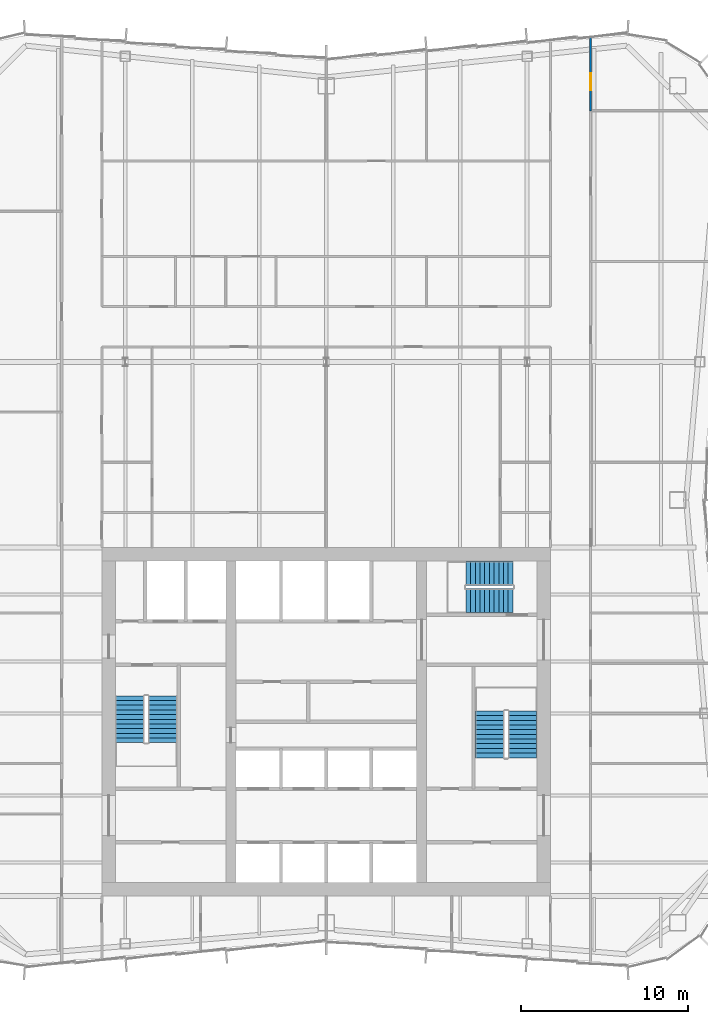
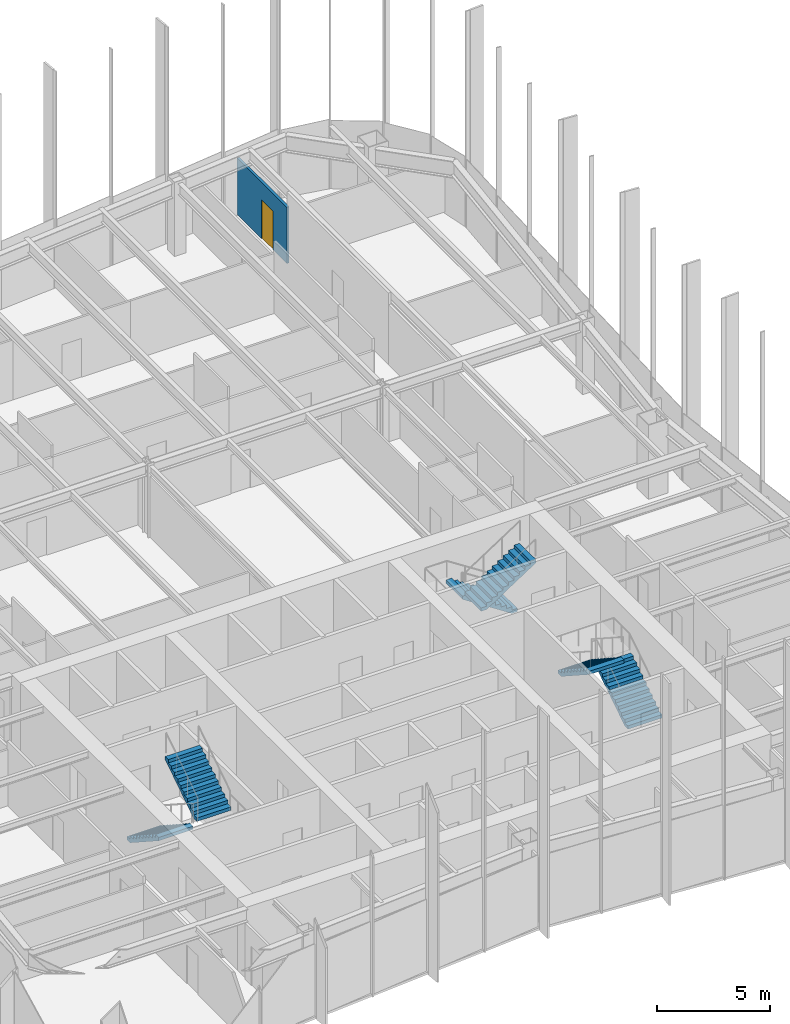
# One storey, part 14 of 15: 6 stair flights, 1 door, 1 wall, 1 opening, 3 elements without a shape of their own.
"""IFC4 building model written with IfcOpenShell, lengths in metres."""

import ifcopenshell
import ifcopenshell.guid

model = None  # the IFC model being written
_history = None  # IfcOwnerHistory: only IFC2X3 demands one
_inside = {}  # id of a spatial element -> (the spatial element, [elements in it])
_under = {}  # id of a project, library or spatial element -> (it, [spatial elements below it])
_declared = {}  # id of a project -> (the project, [libraries it declares])
_typed = {}  # id of a type object -> (the type object, [elements of that type])
_made_of = {}  # id of a material, layer set ... -> (it, [elements and type objects made of it])


def new_model(schema):
    """Start an empty IFC model of exactly this schema.

    Asked for "IFC4X3", IfcOpenShell would pick the latest addendum, in which some entities
    have other attributes; the version numbers below select the first issue.
    IFC2X3 requires an IfcOwnerHistory on every rooted entity: one is made here for all.
    """
    global model, _history
    if schema == "IFC4X3":
        model = ifcopenshell.file(schema_version=(4, 3, 0, 0))
    else:
        model = ifcopenshell.file(schema=schema)
    _inside.clear()
    _under.clear()
    _declared.clear()
    _typed.clear()
    _made_of.clear()
    _history = None
    if model.schema == "IFC2X3":
        org = make("IfcOrganization", Name="unknown")
        user = make(
            "IfcPersonAndOrganization",
            ThePerson=make("IfcPerson", FamilyName="unknown"),
            TheOrganization=org,
        )
        app = make(
            "IfcApplication",
            ApplicationDeveloper=org,
            Version="unknown",
            ApplicationFullName="unknown",
            ApplicationIdentifier="unknown",
        )
        _history = make(
            "IfcOwnerHistory",
            OwningUser=user,
            OwningApplication=app,
            ChangeAction="ADDED",
            CreationDate=0,
        )
    return model


def make(cls, **values):
    """One entity of the class cls with the attributes given. An attribute that is None is left unset."""
    return model.create_entity(
        cls, **{name: value for name, value in values.items() if value is not None}
    )


def rooted(cls, **values):
    """An entity with a GlobalId (a new one), such as an element, a storey or a relation."""
    return make(cls, GlobalId=ifcopenshell.guid.new(), OwnerHistory=_history, **values)


def si_unit(unit_type, name, prefix=None):
    """IfcSIUnit, for example si_unit("LENGTHUNIT", "METRE", prefix="MILLI")."""
    return make("IfcSIUnit", UnitType=unit_type, Prefix=prefix, Name=name)


def assignment(units):
    """IfcUnitAssignment: the units of a project."""
    return None if units is None else make("IfcUnitAssignment", Units=units)


def point(xyz):
    """IfcCartesianPoint."""
    return None if xyz is None else make("IfcCartesianPoint", Coordinates=xyz)


def direction(xyz):
    """IfcDirection."""
    return None if xyz is None else make("IfcDirection", DirectionRatios=xyz)


def frame(location, z_axis=None, x_axis=None):
    """IfcAxis2Placement3D, a coordinate frame: its origin and axes. An axis left out is left unset."""
    return make(
        "IfcAxis2Placement3D",
        Location=point(location),
        Axis=direction(z_axis),
        RefDirection=direction(x_axis),
    )


def frame_2d(location, x_axis=None):
    """IfcAxis2Placement2D, a coordinate frame in the plane: its origin and x axis."""
    return make(
        "IfcAxis2Placement2D", Location=point(location), RefDirection=direction(x_axis)
    )


def origin():
    """The frame at (0, 0, 0) with its axes left unset."""
    return frame((0.0, 0.0, 0.0))


def place(relative_to, where):
    """IfcLocalPlacement: puts the frame where relative to a parent placement (None: the world)."""
    return make(
        "IfcLocalPlacement", PlacementRelTo=relative_to, RelativePlacement=where
    )


def context(
    kind, dimensions, precision=None, world=None, true_north=None, identifier=None
):
    """IfcGeometricRepresentationContext, for example the 3D "Model" context."""
    return make(
        "IfcGeometricRepresentationContext",
        ContextIdentifier=identifier,
        ContextType=kind,
        CoordinateSpaceDimension=dimensions,
        Precision=precision,
        WorldCoordinateSystem=world,
        TrueNorth=true_north,
    )


def subcontext(parent, identifier, kind, view, scale=None):
    """IfcGeometricRepresentationSubContext, for example "Body" below "Model"."""
    return make(
        "IfcGeometricRepresentationSubContext",
        ContextIdentifier=identifier,
        ContextType=kind,
        ParentContext=parent,
        TargetScale=scale,
        TargetView=view,
    )


def project(units=None, contexts=None):
    """IfcProject with its units and contexts."""
    return rooted(
        "IfcProject",
        Name="project",
        RepresentationContexts=contexts,
        UnitsInContext=assignment(units),
    )


def spatial(cls, under=None, at=None, **own):
    """A site, building, storey or space (cls), placed at a placement, below another one or the project."""
    s = rooted(cls, ObjectPlacement=at, **own)
    if under is not None:
        _under.setdefault(under.id(), (under, []))[1].append(s)
    return s


def polyline(points):
    """IfcPolyline through the points."""
    return make("IfcPolyline", Points=[point(p) for p in points])


def profile(cls, at=None, kind="AREA", **sizes):
    """A parametric profile (cls). Its sizes go by their IFC names, for example OverallWidth=200.0."""
    return make(cls, ProfileType=kind, Position=at, **sizes)


def rectangle(**sizes):
    """IfcRectangleProfileDef."""
    return profile("IfcRectangleProfileDef", **sizes)


def outline(outer, holes=None, kind="AREA"):
    """IfcArbitraryClosedProfileDef: a profile drawn as a closed curve; with holes, ...WithVoids."""
    if holes is None:
        return make("IfcArbitraryClosedProfileDef", ProfileType=kind, OuterCurve=outer)
    return make(
        "IfcArbitraryProfileDefWithVoids",
        ProfileType=kind,
        OuterCurve=outer,
        InnerCurves=holes,
    )


def extrude(swept, where, along, depth):
    """IfcExtrudedAreaSolid: the profile swept, set in the frame where, extruded along a direction by depth."""
    return make(
        "IfcExtrudedAreaSolid",
        SweptArea=swept,
        Position=where,
        ExtrudedDirection=direction(along),
        Depth=depth,
    )


def shape(context_of_items, identifier, shape_type, items):
    """IfcShapeRepresentation: the items that make up one representation, for example the "Body"."""
    return make(
        "IfcShapeRepresentation",
        ContextOfItems=context_of_items,
        RepresentationIdentifier=identifier,
        RepresentationType=shape_type,
        Items=items,
    )


def material(Name=None, Category=None):
    """IfcMaterial."""
    return make("IfcMaterial", Name=Name, Category=Category)


def layer(
    of_material, thickness, ventilated=None, Name=None, Category=None, Priority=None
):
    """IfcMaterialLayer: one layer of a wall or slab, of a material (None: an air gap)."""
    return make(
        "IfcMaterialLayer",
        Material=of_material,
        LayerThickness=thickness,
        IsVentilated=ventilated,
        Name=Name,
        Category=Category,
        Priority=Priority,
    )


def layer_set(layers, Name=None):
    """IfcMaterialLayerSet."""
    return make("IfcMaterialLayerSet", MaterialLayers=layers, LayerSetName=Name)


def made_of(thing, what):
    """Note that an element or type object is made of a material, layer set ...; save() writes the relation."""
    if what is not None:
        _made_of.setdefault(what.id(), (what, []))[1].append(thing)
    return thing


def type_object(cls, material=None, **own):
    """A type object (cls), such as IfcWallType, which elements share."""
    return made_of(rooted(cls, **own), material)


def element(
    cls,
    number,
    at=None,
    inside=None,
    cuts=None,
    type_object=None,
    material=None,
    context=None,
    identifier="Body",
    shape_type=None,
    held_by="IfcProductDefinitionShape",
    body=None,
    shapes=None,
    **own,
):
    """One element of the class cls, such as IfcWall. Its Tag is "e" and its number.

    at: its placement. inside: the storey or other place that contains it. cuts: it is an
    opening in that element (IfcRelVoidsElement). A single representation is given by context,
    identifier, shape_type and body (its items); several are given by shapes. held_by: the class
    of the entity that holds the representations. save() writes the other relations.
    """
    e = rooted(cls, Tag="e%d" % number, ObjectPlacement=at, **own)
    if body is not None:
        shapes = [shape(context, identifier, shape_type, body)]
    if shapes is not None:
        e.Representation = make(held_by, Representations=shapes)
    if inside is not None:
        _inside.setdefault(inside.id(), (inside, []))[1].append(e)
    if cuts is not None:
        rooted(
            "IfcRelVoidsElement", RelatingBuildingElement=cuts, RelatedOpeningElement=e
        )
    if type_object is not None:
        _typed.setdefault(type_object.id(), (type_object, []))[1].append(e)
    return made_of(e, material)


def fill(opening, filler):
    """IfcRelFillsElement: the door or window that sits in an opening."""
    return rooted(
        "IfcRelFillsElement",
        RelatingOpeningElement=opening,
        RelatedBuildingElement=filler,
    )


def aggregate(whole, parts):
    """IfcRelAggregates: a whole, such as a stair, and the parts it consists of."""
    return rooted("IfcRelAggregates", RelatingObject=whole, RelatedObjects=parts)


def save(model, path):
    """Write the relations noted so far, then the file.

    IfcRelAggregates (storeys below a building ...), IfcRelContainedInSpatialStructure (elements
    in a storey), IfcRelDefinesByType, IfcRelAssociatesMaterial and IfcRelDeclares: one each for
    every whole, place, type object, material and project.
    """
    for whole, parts in _under.values():
        aggregate(whole, parts)
    for where, things in _inside.values():
        rooted(
            "IfcRelContainedInSpatialStructure",
            RelatedElements=things,
            RelatingStructure=where,
        )
    for kind, things in _typed.values():
        rooted("IfcRelDefinesByType", RelatedObjects=things, RelatingType=kind)
    for what, things in _made_of.values():
        rooted("IfcRelAssociatesMaterial", RelatedObjects=things, RelatingMaterial=what)
    for by, libraries in _declared.values():
        rooted("IfcRelDeclares", RelatingContext=by, RelatedDefinitions=libraries)
    model.write(path)


model = new_model("IFC4")

# Units and contexts
model_context = context("Model", 3, precision=1e-05, world=origin(), true_north=direction((0.0, 1.0)))
body_context = subcontext(model_context, "Body", "Model", "MODEL_VIEW")
ifc_project = project(units=[si_unit("LENGTHUNIT", "METRE"), si_unit("AREAUNIT", "SQUARE_METRE"), si_unit("VOLUMEUNIT", "CUBIC_METRE"), si_unit("PLANEANGLEUNIT", "RADIAN"), si_unit("MASSUNIT", "GRAM", prefix="KILO")], contexts=[model_context])

# Site, building, storey
site_placement = place(None, origin())
site = spatial("IfcSite", under=ifc_project, at=site_placement, CompositionType="ELEMENT")
building_placement = place(site_placement, origin())
building = spatial("IfcBuilding", under=site, at=building_placement, Name="Verdant Reach Tower", CompositionType="ELEMENT")
storey_placement = place(building_placement, frame((0.0, 0.0, 238.0)))
storey = spatial("IfcBuildingStorey", under=building, at=storey_placement, Name="L54", CompositionType="ELEMENT", Elevation=238.0)

# Wall, opening, door
ifc_material_1 = material(Name="Gypsum board on steel studs, fire rated", Category="steel")
ifc_layer = layer(ifc_material_1, 0.125)
ifc_layer_set = layer_set([ifc_layer], Name="FL-W2 Corridor wall 125")
wall_type = type_object("IfcWallType", Name="FL-W2 Corridor wall 125", PredefinedType="PARTITIONING", material=ifc_layer_set)
wall_placement = place(storey_placement, frame((15.800048828125, 68.896728515625, 0.0), z_axis=(0.0, 0.0, 1.0), x_axis=(0.0, -1.0, 0.0)))
wall = element("IfcWall", 1, at=wall_placement, inside=storey, type_object=wall_type, Name="Partition 54.14", PredefinedType="PARTITIONING", context=body_context, shape_type="SweptSolid", body=[
    extrude(rectangle(XDim=4.396728515625, YDim=0.125, at=frame_2d((2.1982421875, 0.0))), origin(), (0.0, 0.0, 1.0), 3.0400390625),
])
opening_placement = place(wall_placement, frame((2.163330078125, 0.0, 0.0)))
opening = element("IfcOpeningElement", 2, at=opening_placement, cuts=wall, Name="Opening D2", PredefinedType="OPENING", context=body_context, shape_type="SweptSolid", body=[
    extrude(rectangle(XDim=1.0, YDim=2.10009765625, at=frame_2d((0.5, 1.050048828125))), frame((0.0, 0.072509765625, 0.0), z_axis=(0.0, -1.0, 0.0), x_axis=(1.0, 0.0, 0.0)), (0.0, 0.0, 1.0), 0.14501953125),
])
ifc_material_2 = material(Name="Timber door leaf, fire rated", Category="wood")
door_type = type_object("IfcDoorType", Name="FL-D2 Entrance door 1000x2100 FD30", OperationType="NOTDEFINED", PredefinedType="DOOR", material=ifc_material_2)
door_placement = place(opening_placement, origin())
door = element("IfcDoor", 3, at=door_placement, inside=storey, type_object=door_type, Name="Door 54-014", OperationType="SINGLE_SWING_RIGHT", OverallHeight=2.10009765625, OverallWidth=1.0, PredefinedType="DOOR", context=body_context, shape_type="SweptSolid", body=[
    extrude(rectangle(XDim=1.0, YDim=2.10009765625, at=frame_2d((0.5, 1.050048828125))), frame((0.0, 0.02490234375, 0.0), z_axis=(0.0, -1.0, 0.0), x_axis=(1.0, 0.0, 0.0)), (0.0, 0.0, 1.0), 0.050048828125),
])
fill(opening, door)

# Stair, stair flights
ifc_material_3 = material(Name="Concrete C40/50", Category="concrete")
stair_type = type_object("IfcStairType", Name="CO-STAIR", PredefinedType="HALF_TURN_STAIR", material=ifc_material_3)
stair_1_placement = place(storey_placement, origin())
stair_1 = element("IfcStair", 4, at=stair_1_placement, inside=storey, type_object=stair_type, Name="L54 Exit stair 1", PredefinedType="HALF_TURN_STAIR")
stair_flight_type = type_object("IfcStairFlightType", Name="CO-STAIR-FLIGHT", PredefinedType="STRAIGHT", material=ifc_material_3)
stair_flight_1_placement = place(storey_placement, frame((-11.72509765625, 29.550048828125, 0.0), z_axis=(0.0, 0.0, 1.0), x_axis=(0.0, -1.0, 0.0)))
stair_flight_1 = element("IfcStairFlight", 5, at=stair_flight_1_placement, type_object=stair_flight_type, Name="ST-1 flight 1", NumberOfRisers=11, NumberOfTreads=10, PredefinedType="STRAIGHT", RiserHeight=0.181818182, TreadLength=0.28, context=body_context, shape_type="SweptSolid", body=[
    extrude(outline(polyline([(0.0, 0.0), (0.0, 0.181884765625), (0.280029296875, 0.181884765625), (0.280029296875, 0.363525390625), (0.56005859375, 0.363525390625), (0.56005859375, 0.54541015625), (0.840087890625, 0.54541015625), (0.840087890625, 0.727294921875), (1.1201171875, 0.727294921875), (1.1201171875, 0.9091796875), (1.39990234375, 0.9091796875), (1.39990234375, 1.0908203125), (1.679931640625, 1.0908203125), (1.679931640625, 1.272705078125), (1.9599609375, 1.272705078125), (1.9599609375, 1.45458984375), (2.239990234375, 1.45458984375), (2.239990234375, 1.636474609375), (2.52001953125, 1.636474609375), (2.52001953125, 1.818115234375), (2.800048828125, 1.818115234375), (2.800048828125, 2.0), (2.800048828125, 1.639404296875), (0.275146484375, 0.0), (0.0, 0.0)])), frame((0.0, 0.875, 0.0), z_axis=(0.0, -1.0, 0.0), x_axis=(1.0, 0.0, 0.0)), (0.0, 0.0, 1.0), 1.75),
])
stair_flight_2_placement = place(storey_placement, frame((-9.77490234375, 26.75, 2.0), z_axis=(0.0, 0.0, 1.0), x_axis=(0.0, 1.0, 0.0)))
stair_flight_2 = element("IfcStairFlight", 6, at=stair_flight_2_placement, type_object=stair_flight_type, Name="ST-1 flight 2", NumberOfRisers=11, NumberOfTreads=10, PredefinedType="STRAIGHT", RiserHeight=0.181818182, TreadLength=0.28, context=body_context, shape_type="SweptSolid", body=[
    extrude(outline(polyline([(0.0, 0.0), (0.0, 0.181884765625), (0.280029296875, 0.181884765625), (0.280029296875, 0.363525390625), (0.56005859375, 0.363525390625), (0.56005859375, 0.54541015625), (0.840087890625, 0.54541015625), (0.840087890625, 0.727294921875), (1.1201171875, 0.727294921875), (1.1201171875, 0.9091796875), (1.39990234375, 0.9091796875), (1.39990234375, 1.0908203125), (1.679931640625, 1.0908203125), (1.679931640625, 1.272705078125), (1.9599609375, 1.272705078125), (1.9599609375, 1.45458984375), (2.239990234375, 1.45458984375), (2.239990234375, 1.636474609375), (2.52001953125, 1.636474609375), (2.52001953125, 1.818115234375), (2.800048828125, 1.818115234375), (2.800048828125, 2.0), (2.800048828125, 1.639404296875), (0.275146484375, 0.0), (0.0, 0.0)])), frame((0.0, 0.875, 0.0), z_axis=(0.0, -1.0, 0.0), x_axis=(1.0, 0.0, 0.0)), (0.0, 0.0, 1.0), 1.75),
])
aggregate(stair_1, [stair_flight_1, stair_flight_2])

stair_2_placement = place(storey_placement, origin())
stair_2 = element("IfcStair", 7, at=stair_2_placement, inside=storey, type_object=stair_type, Name="L54 Exit stair 2", PredefinedType="HALF_TURN_STAIR")
stair_flight_3_placement = place(storey_placement, frame((11.72509765625, 25.85009765625, 0.0), z_axis=(0.0, 0.0, 1.0), x_axis=(0.0, 1.0, 0.0)))
stair_flight_3 = element("IfcStairFlight", 8, at=stair_flight_3_placement, type_object=stair_flight_type, Name="ST-2 flight 1", NumberOfRisers=11, NumberOfTreads=10, PredefinedType="STRAIGHT", RiserHeight=0.181818182, TreadLength=0.28, context=body_context, shape_type="SweptSolid", body=[
    extrude(outline(polyline([(0.0, 0.0), (0.0, 0.181884765625), (0.280029296875, 0.181884765625), (0.280029296875, 0.363525390625), (0.56005859375, 0.363525390625), (0.56005859375, 0.54541015625), (0.840087890625, 0.54541015625), (0.840087890625, 0.727294921875), (1.1201171875, 0.727294921875), (1.1201171875, 0.9091796875), (1.39990234375, 0.9091796875), (1.39990234375, 1.0908203125), (1.679931640625, 1.0908203125), (1.679931640625, 1.272705078125), (1.9599609375, 1.272705078125), (1.9599609375, 1.45458984375), (2.239990234375, 1.45458984375), (2.239990234375, 1.636474609375), (2.52001953125, 1.636474609375), (2.52001953125, 1.818115234375), (2.800048828125, 1.818115234375), (2.800048828125, 2.0), (2.800048828125, 1.639404296875), (0.275146484375, 0.0), (0.0, 0.0)])), frame((0.0, 0.875, 0.0), z_axis=(0.0, -1.0, 0.0), x_axis=(1.0, 0.0, 0.0)), (0.0, 0.0, 1.0), 1.75),
])
stair_flight_4_placement = place(storey_placement, frame((9.77490234375, 28.64990234375, 2.0), z_axis=(0.0, 0.0, 1.0), x_axis=(0.0, -1.0, 0.0)))
stair_flight_4 = element("IfcStairFlight", 9, at=stair_flight_4_placement, type_object=stair_flight_type, Name="ST-2 flight 2", NumberOfRisers=11, NumberOfTreads=10, PredefinedType="STRAIGHT", RiserHeight=0.181818182, TreadLength=0.28, context=body_context, shape_type="SweptSolid", body=[
    extrude(outline(polyline([(0.0, 0.0), (0.0, 0.181884765625), (0.280029296875, 0.181884765625), (0.280029296875, 0.363525390625), (0.56005859375, 0.363525390625), (0.56005859375, 0.54541015625), (0.840087890625, 0.54541015625), (0.840087890625, 0.727294921875), (1.1201171875, 0.727294921875), (1.1201171875, 0.9091796875), (1.39990234375, 0.9091796875), (1.39990234375, 1.0908203125), (1.679931640625, 1.0908203125), (1.679931640625, 1.272705078125), (1.9599609375, 1.272705078125), (1.9599609375, 1.45458984375), (2.239990234375, 1.45458984375), (2.239990234375, 1.636474609375), (2.52001953125, 1.636474609375), (2.52001953125, 1.818115234375), (2.800048828125, 1.818115234375), (2.800048828125, 2.0), (2.800048828125, 1.639404296875), (0.275146484375, 0.0), (0.0, 0.0)])), frame((0.0, 0.875, 0.0), z_axis=(0.0, -1.0, 0.0), x_axis=(1.0, 0.0, 0.0)), (0.0, 0.0, 1.0), 1.75),
])
aggregate(stair_2, [stair_flight_3, stair_flight_4])

stair_3_placement = place(storey_placement, origin())
stair_3 = element("IfcStair", 10, at=stair_3_placement, inside=storey, type_object=stair_type, Name="L54 Exit stair 3", PredefinedType="HALF_TURN_STAIR")
stair_flight_5_placement = place(storey_placement, frame((11.14990234375, 36.875, 0.0), z_axis=(0.0, 0.0, 1.0), x_axis=(-1.0, 0.0, 0.0)))
stair_flight_5 = element("IfcStairFlight", 11, at=stair_flight_5_placement, type_object=stair_flight_type, Name="ST-3 flight 1", NumberOfRisers=11, NumberOfTreads=10, PredefinedType="STRAIGHT", RiserHeight=0.181818182, TreadLength=0.28, context=body_context, shape_type="SweptSolid", body=[
    extrude(outline(polyline([(0.0, 0.0), (0.0, 0.181884765625), (0.280029296875, 0.181884765625), (0.280029296875, 0.363525390625), (0.56005859375, 0.363525390625), (0.56005859375, 0.54541015625), (0.840087890625, 0.54541015625), (0.840087890625, 0.727294921875), (1.1201171875, 0.727294921875), (1.1201171875, 0.9091796875), (1.39990234375, 0.9091796875), (1.39990234375, 1.0908203125), (1.679931640625, 1.0908203125), (1.679931640625, 1.272705078125), (1.9599609375, 1.272705078125), (1.9599609375, 1.45458984375), (2.239990234375, 1.45458984375), (2.239990234375, 1.636474609375), (2.52001953125, 1.636474609375), (2.52001953125, 1.818115234375), (2.800048828125, 1.818115234375), (2.800048828125, 2.0), (2.800048828125, 1.639404296875), (0.275146484375, 0.0), (0.0, 0.0)])), frame((0.0, 0.72509765625, 0.0), z_axis=(0.0, -1.0, 0.0), x_axis=(1.0, 0.0, 0.0)), (0.0, 0.0, 1.0), 1.449951171875),
])
stair_flight_6_placement = place(storey_placement, frame((8.35009765625, 35.22509765625, 2.0), z_axis=(0.0, 0.0, 1.0), x_axis=(1.0, 0.0, 0.0)))
stair_flight_6 = element("IfcStairFlight", 12, at=stair_flight_6_placement, type_object=stair_flight_type, Name="ST-3 flight 2", NumberOfRisers=11, NumberOfTreads=10, PredefinedType="STRAIGHT", RiserHeight=0.181818182, TreadLength=0.28, context=body_context, shape_type="SweptSolid", body=[
    extrude(outline(polyline([(0.0, 0.0), (0.0, 0.181884765625), (0.280029296875, 0.181884765625), (0.280029296875, 0.363525390625), (0.56005859375, 0.363525390625), (0.56005859375, 0.54541015625), (0.840087890625, 0.54541015625), (0.840087890625, 0.727294921875), (1.1201171875, 0.727294921875), (1.1201171875, 0.9091796875), (1.39990234375, 0.9091796875), (1.39990234375, 1.0908203125), (1.679931640625, 1.0908203125), (1.679931640625, 1.272705078125), (1.9599609375, 1.272705078125), (1.9599609375, 1.45458984375), (2.239990234375, 1.45458984375), (2.239990234375, 1.636474609375), (2.52001953125, 1.636474609375), (2.52001953125, 1.818115234375), (2.800048828125, 1.818115234375), (2.800048828125, 2.0), (2.800048828125, 1.639404296875), (0.275146484375, 0.0), (0.0, 0.0)])), frame((0.0, 0.72509765625, 0.0), z_axis=(0.0, -1.0, 0.0), x_axis=(1.0, 0.0, 0.0)), (0.0, 0.0, 1.0), 1.449951171875),
])
aggregate(stair_3, [stair_flight_5, stair_flight_6])

save(model, "model.ifc")
